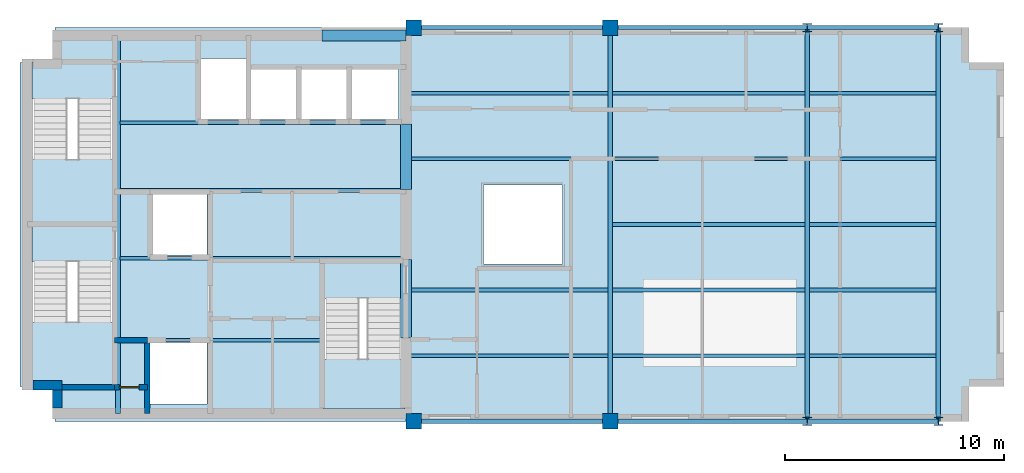
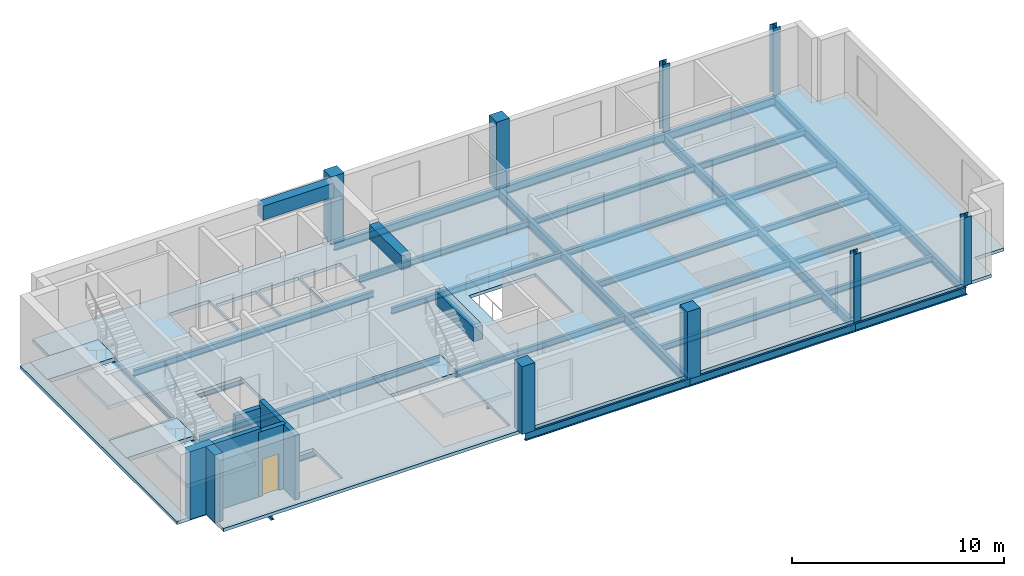
# One storey, part 1 of 5: 31 beams, 8 columns, 7 slabs, 6 walls, 1 door, 1 opening, 3 elements without a shape of their own.
"""IFC4 building model written with IfcOpenShell, lengths in metres."""

from ifc_helpers import new_model, si_unit, direction, frame, frame_2d, origin, origin_2d, place, context, subcontext, project, spatial, polyline, rectangle, i_section, outline, extrude, material, layer, layer_set, material_profile, profile_set, type_object, element, fill, aggregate, save


model = new_model("IFC4")

# Units and contexts
model_context = context("Model", 3, precision=1e-05, world=origin(), true_north=direction((0.0, 1.0)))
body_context = subcontext(model_context, "Body", "Model", "MODEL_VIEW")
ifc_project = project(units=[si_unit("LENGTHUNIT", "METRE"), si_unit("AREAUNIT", "SQUARE_METRE"), si_unit("VOLUMEUNIT", "CUBIC_METRE"), si_unit("PLANEANGLEUNIT", "RADIAN"), si_unit("MASSUNIT", "GRAM", prefix="KILO")], contexts=[model_context])

# Site, building, storey
site_placement = place(None, origin())
site = spatial("IfcSite", under=ifc_project, at=site_placement, CompositionType="ELEMENT")
building_placement = place(site_placement, origin())
building = spatial("IfcBuilding", under=site, at=building_placement, Name="Mawjdan Bourse Tower", CompositionType="ELEMENT")
storey_placement = place(building_placement, frame((0.0, 0.0, 305.39990234375)))
storey = spatial("IfcBuildingStorey", under=building, at=storey_placement, Name="L75", CompositionType="ELEMENT", Elevation=305.39990234375)

# Columns
ifc_material_1 = material(Name="Concrete C60/75", Category="concrete")
ifc_material_profile_1 = material_profile(ifc_material_1, rectangle(XDim=0.699951171875, YDim=0.699951171875, at=origin_2d()), Name="RC700X700")
ifc_profile_set_1 = profile_set([ifc_material_profile_1], Name="Concrete C60/75")
column_type_1 = type_object("IfcColumnType", Name="COL-RC700X700", PredefinedType="COLUMN", material=ifc_profile_set_1)
for number, where, z_axis, x_axis, name in (
    (1, (24.0, 3.0, 0.0), (0.0, 0.0, 1.0), (1.0, 0.0, 0.0), "L75 Structural Column C-X240-Y30"),
    (2, (24.0, 21.0, 0.0), (0.0, 0.0, 1.0), (1.0, 0.0, 0.0), "L75 Structural Column C-X240-Y210"),
    (3, (33.0, 3.0, 0.0), (0.0, 0.0, 1.0), (1.0, 0.0, 0.0), "L75 Structural Column C-X330-Y30"),
    (4, (33.0, 21.0, 0.0), (0.0, 0.0, 1.0), (1.0, 0.0, 0.0), "L75 Structural Column C-X330-Y210"),
):
    element("IfcColumn", number, at=place(storey_placement, frame(where, z_axis=z_axis, x_axis=x_axis)), inside=storey, type_object=column_type_1, Name=name, PredefinedType="COLUMN", context=body_context, shape_type="SweptSolid", body=[
        extrude(rectangle(XDim=0.699951171875, YDim=0.699951171875, at=origin_2d()), origin(), (0.0, 0.0, 1.0), 3.900146484375),
    ])
ifc_material_2 = material(Name="Structural Steel S355", Category="steel")
ifc_material_profile_2 = material_profile(ifc_material_2, i_section(OverallWidth=0.39404296875, OverallDepth=0.375, WebThickness=0.017333984375, FlangeThickness=0.027587890625, FilletRadius=0.022216796875, at=origin_2d()), Name="W14X145")
ifc_profile_set_2 = profile_set([ifc_material_profile_2], Name="Structural Steel S355")
column_type_2 = type_object("IfcColumnType", Name="COL-W14X145", PredefinedType="COLUMN", material=ifc_profile_set_2)
for number, where, z_axis, x_axis, name in (
    (5, (42.0, 3.0, 0.0), (0.0, 0.0, 1.0), (1.0, 0.0, 0.0), "L75 Structural Column C-X420-Y30"),
    (6, (42.0, 21.0, 0.0), (0.0, 0.0, 1.0), (1.0, 0.0, 0.0), "L75 Structural Column C-X420-Y210"),
    (7, (48.0, 3.0, 0.0), (0.0, 0.0, 1.0), (1.0, 0.0, 0.0), "L75 Structural Column C-X480-Y30"),
    (8, (48.0, 21.0, 0.0), (0.0, 0.0, 1.0), (1.0, 0.0, 0.0), "L75 Structural Column C-X480-Y210"),
):
    element("IfcColumn", number, at=place(storey_placement, frame(where, z_axis=z_axis, x_axis=x_axis)), inside=storey, type_object=column_type_2, Name=name, PredefinedType="COLUMN", context=body_context, shape_type="SweptSolid", body=[
        extrude(i_section(OverallWidth=0.39404296875, OverallDepth=0.375, WebThickness=0.017333984375, FlangeThickness=0.027587890625, FilletRadius=0.022216796875, at=origin_2d()), origin(), (0.0, 0.0, 1.0), 3.900146484375),
    ])

# Beams
ifc_material_profile_3 = material_profile(ifc_material_2, i_section(OverallWidth=0.2099609375, OverallDepth=0.537109375, WebThickness=0.010986328125, FlangeThickness=0.017333984375, FilletRadius=0.013916015625, at=origin_2d()), Name="W21X68")
ifc_profile_set_3 = profile_set([ifc_material_profile_3], Name="Structural Steel S355")
beam_type_1 = type_object("IfcBeamType", Name="GRD-W21X68", PredefinedType="BEAM", material=ifc_profile_set_3)
beam_1_placement = place(storey_placement, frame((10.47998046875, 3.35009765625, -0.453369140625), z_axis=(0.0, 1.0, 0.0), x_axis=(-1.0, 0.0, 0.0)))
element("IfcBeam", 9, at=beam_1_placement, inside=storey, type_object=beam_type_1, Name="L75 Core Stair Trimmer Girder 001", PredefinedType="BEAM", context=body_context, shape_type="SweptSolid", body=[
    extrude(i_section(OverallWidth=0.2099609375, OverallDepth=0.537109375, WebThickness=0.010986328125, FlangeThickness=0.017333984375, FilletRadius=0.013916015625, at=origin_2d()), origin(), (0.0, 0.0, 1.0), 17.2998046875),
])
for number, where, z_axis, x_axis, name in (
    (10, (33.0, 3.0, -0.453369140625), (0.0, 1.0, 0.0), (-1.0, 0.0, 0.0), "L75 East Wing Clear-Span Girder 002"),
    (11, (42.0, 3.0, -0.453369140625), (0.0, 1.0, 0.0), (-1.0, 0.0, 0.0), "L75 East Wing Clear-Span Girder 003"),
    (12, (48.0, 3.0, -0.453369140625), (0.0, 1.0, 0.0), (-1.0, 0.0, 0.0), "L75 East Wing Clear-Span Girder 004"),
):
    element("IfcBeam", number, at=place(storey_placement, frame(where, z_axis=z_axis, x_axis=x_axis)), inside=storey, type_object=beam_type_1, Name=name, PredefinedType="BEAM", context=body_context, shape_type="SweptSolid", body=[
        extrude(i_section(OverallWidth=0.2099609375, OverallDepth=0.537109375, WebThickness=0.010986328125, FlangeThickness=0.017333984375, FilletRadius=0.013916015625, at=origin_2d()), origin(), (0.0, 0.0, 1.0), 18.0),
    ])
ifc_material_profile_4 = material_profile(ifc_material_2, i_section(OverallWidth=0.1708984375, OverallDepth=0.35107421875, WebThickness=0.0068359375, FlangeThickness=0.009765625, FilletRadius=0.0078125, at=origin_2d()), Name="W14X30")
ifc_profile_set_4 = profile_set([ifc_material_profile_4], Name="Structural Steel S355")
beam_type_2 = type_object("IfcBeamType", Name="JST-W14X30", PredefinedType="JOIST", material=ifc_profile_set_4)
beam_2_placement = place(storey_placement, frame((23.64990234375, 6.0, -0.3603515625), z_axis=(1.0, 0.0, 0.0), x_axis=(0.0, 1.0, 0.0)))
element("IfcBeam", 13, at=beam_2_placement, inside=storey, type_object=beam_type_2, Name="L75 East Wing Composite Joist 011", PredefinedType="JOIST", context=body_context, shape_type="SweptSolid", body=[
    extrude(i_section(OverallWidth=0.1708984375, OverallDepth=0.35107421875, WebThickness=0.0068359375, FlangeThickness=0.009765625, FilletRadius=0.0078125, at=origin_2d()), origin(), (0.0, 0.0, 1.0), 9.2470703125),
])
beam_3_placement = place(storey_placement, frame((33.10302734375, 6.0, -0.3603515625), z_axis=(1.0, 0.0, 0.0), x_axis=(0.0, 1.0, 0.0)))
element("IfcBeam", 14, at=beam_3_placement, inside=storey, type_object=beam_type_2, Name="L75 East Wing Composite Joist 012", PredefinedType="JOIST", context=body_context, shape_type="SweptSolid", body=[
    extrude(i_section(OverallWidth=0.1708984375, OverallDepth=0.35107421875, WebThickness=0.0068359375, FlangeThickness=0.009765625, FilletRadius=0.0078125, at=origin_2d()), origin(), (0.0, 0.0, 1.0), 8.7939453125),
])
beam_4_placement = place(storey_placement, frame((42.10302734375, 6.0, -0.3603515625), z_axis=(1.0, 0.0, 0.0), x_axis=(0.0, 1.0, 0.0)))
element("IfcBeam", 15, at=beam_4_placement, inside=storey, type_object=beam_type_2, Name="L75 East Wing Composite Joist 013", PredefinedType="JOIST", context=body_context, shape_type="SweptSolid", body=[
    extrude(i_section(OverallWidth=0.1708984375, OverallDepth=0.35107421875, WebThickness=0.0068359375, FlangeThickness=0.009765625, FilletRadius=0.0078125, at=origin_2d()), origin(), (0.0, 0.0, 1.0), 5.7939453125),
])
beam_5_placement = place(storey_placement, frame((23.64990234375, 9.0, -0.3603515625), z_axis=(1.0, 0.0, 0.0), x_axis=(0.0, 1.0, 0.0)))
element("IfcBeam", 16, at=beam_5_placement, inside=storey, type_object=beam_type_2, Name="L75 East Wing Composite Joist 014", PredefinedType="JOIST", context=body_context, shape_type="SweptSolid", body=[
    extrude(i_section(OverallWidth=0.1708984375, OverallDepth=0.35107421875, WebThickness=0.0068359375, FlangeThickness=0.009765625, FilletRadius=0.0078125, at=origin_2d()), origin(), (0.0, 0.0, 1.0), 9.2470703125),
])
beam_6_placement = place(storey_placement, frame((33.10302734375, 9.0, -0.3603515625), z_axis=(1.0, 0.0, 0.0), x_axis=(0.0, 1.0, 0.0)))
element("IfcBeam", 17, at=beam_6_placement, inside=storey, type_object=beam_type_2, Name="L75 East Wing Composite Joist 015", PredefinedType="JOIST", context=body_context, shape_type="SweptSolid", body=[
    extrude(i_section(OverallWidth=0.1708984375, OverallDepth=0.35107421875, WebThickness=0.0068359375, FlangeThickness=0.009765625, FilletRadius=0.0078125, at=origin_2d()), origin(), (0.0, 0.0, 1.0), 8.7939453125),
])
beam_7_placement = place(storey_placement, frame((42.10302734375, 9.0, -0.3603515625), z_axis=(1.0, 0.0, 0.0), x_axis=(0.0, 1.0, 0.0)))
element("IfcBeam", 18, at=beam_7_placement, inside=storey, type_object=beam_type_2, Name="L75 East Wing Composite Joist 016", PredefinedType="JOIST", context=body_context, shape_type="SweptSolid", body=[
    extrude(i_section(OverallWidth=0.1708984375, OverallDepth=0.35107421875, WebThickness=0.0068359375, FlangeThickness=0.009765625, FilletRadius=0.0078125, at=origin_2d()), origin(), (0.0, 0.0, 1.0), 5.7939453125),
])
beam_8_placement = place(storey_placement, frame((33.10302734375, 12.0, -0.3603515625), z_axis=(1.0, 0.0, 0.0), x_axis=(0.0, 1.0, 0.0)))
element("IfcBeam", 19, at=beam_8_placement, inside=storey, type_object=beam_type_2, Name="L75 East Wing Composite Joist 017", PredefinedType="JOIST", context=body_context, shape_type="SweptSolid", body=[
    extrude(i_section(OverallWidth=0.1708984375, OverallDepth=0.35107421875, WebThickness=0.0068359375, FlangeThickness=0.009765625, FilletRadius=0.0078125, at=origin_2d()), origin(), (0.0, 0.0, 1.0), 8.7939453125),
])
beam_9_placement = place(storey_placement, frame((42.10302734375, 12.0, -0.3603515625), z_axis=(1.0, 0.0, 0.0), x_axis=(0.0, 1.0, 0.0)))
element("IfcBeam", 20, at=beam_9_placement, inside=storey, type_object=beam_type_2, Name="L75 East Wing Composite Joist 018", PredefinedType="JOIST", context=body_context, shape_type="SweptSolid", body=[
    extrude(i_section(OverallWidth=0.1708984375, OverallDepth=0.35107421875, WebThickness=0.0068359375, FlangeThickness=0.009765625, FilletRadius=0.0078125, at=origin_2d()), origin(), (0.0, 0.0, 1.0), 5.7939453125),
])
beam_10_placement = place(storey_placement, frame((23.64990234375, 15.0, -0.3603515625), z_axis=(1.0, 0.0, 0.0), x_axis=(0.0, 1.0, 0.0)))
element("IfcBeam", 21, at=beam_10_placement, inside=storey, type_object=beam_type_2, Name="L75 East Wing Composite Joist 019", PredefinedType="JOIST", context=body_context, shape_type="SweptSolid", body=[
    extrude(i_section(OverallWidth=0.1708984375, OverallDepth=0.35107421875, WebThickness=0.0068359375, FlangeThickness=0.009765625, FilletRadius=0.0078125, at=origin_2d()), origin(), (0.0, 0.0, 1.0), 9.2470703125),
])
beam_11_placement = place(storey_placement, frame((33.10302734375, 15.0, -0.3603515625), z_axis=(1.0, 0.0, 0.0), x_axis=(0.0, 1.0, 0.0)))
element("IfcBeam", 22, at=beam_11_placement, inside=storey, type_object=beam_type_2, Name="L75 East Wing Composite Joist 020", PredefinedType="JOIST", context=body_context, shape_type="SweptSolid", body=[
    extrude(i_section(OverallWidth=0.1708984375, OverallDepth=0.35107421875, WebThickness=0.0068359375, FlangeThickness=0.009765625, FilletRadius=0.0078125, at=origin_2d()), origin(), (0.0, 0.0, 1.0), 8.7939453125),
])
beam_12_placement = place(storey_placement, frame((42.10302734375, 15.0, -0.3603515625), z_axis=(1.0, 0.0, 0.0), x_axis=(0.0, 1.0, 0.0)))
element("IfcBeam", 23, at=beam_12_placement, inside=storey, type_object=beam_type_2, Name="L75 East Wing Composite Joist 021", PredefinedType="JOIST", context=body_context, shape_type="SweptSolid", body=[
    extrude(i_section(OverallWidth=0.1708984375, OverallDepth=0.35107421875, WebThickness=0.0068359375, FlangeThickness=0.009765625, FilletRadius=0.0078125, at=origin_2d()), origin(), (0.0, 0.0, 1.0), 5.7939453125),
])
beam_13_placement = place(storey_placement, frame((23.64990234375, 18.0, -0.3603515625), z_axis=(1.0, 0.0, 0.0), x_axis=(0.0, 1.0, 0.0)))
element("IfcBeam", 24, at=beam_13_placement, inside=storey, type_object=beam_type_2, Name="L75 East Wing Composite Joist 022", PredefinedType="JOIST", context=body_context, shape_type="SweptSolid", body=[
    extrude(i_section(OverallWidth=0.1708984375, OverallDepth=0.35107421875, WebThickness=0.0068359375, FlangeThickness=0.009765625, FilletRadius=0.0078125, at=origin_2d()), origin(), (0.0, 0.0, 1.0), 9.2470703125),
])
beam_14_placement = place(storey_placement, frame((33.10302734375, 18.0, -0.3603515625), z_axis=(1.0, 0.0, 0.0), x_axis=(0.0, 1.0, 0.0)))
element("IfcBeam", 25, at=beam_14_placement, inside=storey, type_object=beam_type_2, Name="L75 East Wing Composite Joist 023", PredefinedType="JOIST", context=body_context, shape_type="SweptSolid", body=[
    extrude(i_section(OverallWidth=0.1708984375, OverallDepth=0.35107421875, WebThickness=0.0068359375, FlangeThickness=0.009765625, FilletRadius=0.0078125, at=origin_2d()), origin(), (0.0, 0.0, 1.0), 8.7939453125),
])
beam_15_placement = place(storey_placement, frame((42.10302734375, 18.0, -0.3603515625), z_axis=(1.0, 0.0, 0.0), x_axis=(0.0, 1.0, 0.0)))
element("IfcBeam", 26, at=beam_15_placement, inside=storey, type_object=beam_type_2, Name="L75 East Wing Composite Joist 024", PredefinedType="JOIST", context=body_context, shape_type="SweptSolid", body=[
    extrude(i_section(OverallWidth=0.1708984375, OverallDepth=0.35107421875, WebThickness=0.0068359375, FlangeThickness=0.009765625, FilletRadius=0.0078125, at=origin_2d()), origin(), (0.0, 0.0, 1.0), 5.7939453125),
])
beam_16_placement = place(storey_placement, frame((10.5830078125, 6.699951171875, -0.3603515625), z_axis=(1.0, 0.0, 0.0), x_axis=(0.0, 1.0, 0.0)))
element("IfcBeam", 27, at=beam_16_placement, inside=storey, type_object=beam_type_2, Name="L75 Core Floor Joist 025", PredefinedType="JOIST", context=body_context, shape_type="SweptSolid", body=[
    extrude(i_section(OverallWidth=0.1708984375, OverallDepth=0.35107421875, WebThickness=0.0068359375, FlangeThickness=0.009765625, FilletRadius=0.0078125, at=origin_2d()), origin(), (0.0, 0.0, 1.0), 9.2470703125),
])
for number, where, z_axis, x_axis, name in (
    (28, (10.5830078125, 10.449951171875, -0.3603515625), (1.0, 0.0, 0.0), (0.0, 1.0, 0.0), "L75 Core Floor Joist 026"),
    (29, (10.5830078125, 13.550048828125, -0.3603515625), (1.0, 0.0, 0.0), (0.0, 1.0, 0.0), "L75 Core Floor Joist 027"),
    (30, (10.5830078125, 16.64990234375, -0.3603515625), (1.0, 0.0, 0.0), (0.0, 1.0, 0.0), "L75 Core Floor Joist 028"),
):
    element("IfcBeam", number, at=place(storey_placement, frame(where, z_axis=z_axis, x_axis=x_axis)), inside=storey, type_object=beam_type_2, Name=name, PredefinedType="JOIST", context=body_context, shape_type="SweptSolid", body=[
        extrude(i_section(OverallWidth=0.1708984375, OverallDepth=0.35107421875, WebThickness=0.0068359375, FlangeThickness=0.009765625, FilletRadius=0.0078125, at=origin_2d()), origin(), (0.0, 0.0, 1.0), 13.06689453125),
    ])
ifc_material_3 = material(Name="Concrete C70/85", Category="concrete")
ifc_material_profile_5 = material_profile(ifc_material_3, rectangle(XDim=0.5, YDim=0.800048828125, at=origin_2d()), Name="RCB500X800")
ifc_profile_set_5 = profile_set([ifc_material_profile_5], Name="Concrete C70/85")
beam_type_3 = type_object("IfcBeamType", Name="LNT-RCB500X800", PredefinedType="LINTEL", material=ifc_profile_set_5)
beam_17_placement = place(storey_placement, frame((23.64990234375, 6.800048828125, 3.315185546875), z_axis=(0.0, 1.0, 0.0), x_axis=(-1.0, 0.0, 0.0)))
element("IfcBeam", 31, at=beam_17_placement, inside=storey, type_object=beam_type_3, Name="L75 Coupled Core Lintel CB-E1", PredefinedType="LINTEL", context=body_context, shape_type="SweptSolid", body=[
    extrude(rectangle(XDim=0.5, YDim=0.800048828125, at=origin_2d()), origin(), (0.0, 0.0, 1.0), 3.599853515625),
])
beam_18_placement = place(storey_placement, frame((23.64990234375, 13.60009765625, 3.315185546875), z_axis=(0.0, 1.0, 0.0), x_axis=(-1.0, 0.0, 0.0)))
element("IfcBeam", 32, at=beam_18_placement, inside=storey, type_object=beam_type_3, Name="L75 Coupled Core Lintel CB-E2", PredefinedType="LINTEL", context=body_context, shape_type="SweptSolid", body=[
    extrude(rectangle(XDim=0.5, YDim=0.800048828125, at=origin_2d()), origin(), (0.0, 0.0, 1.0), 3.0),
])
beam_19_placement = place(storey_placement, frame((19.800048828125, 20.64990234375, 3.315185546875), z_axis=(1.0, 0.0, 0.0), x_axis=(0.0, 1.0, 0.0)))
element("IfcBeam", 33, at=beam_19_placement, inside=storey, type_object=beam_type_3, Name="L75 Coupled Core Lintel CB-N1", PredefinedType="LINTEL", context=body_context, shape_type="SweptSolid", body=[
    extrude(rectangle(XDim=0.5, YDim=0.800048828125, at=origin_2d()), origin(), (0.0, 0.0, 1.0), 3.849853515625),
])
ifc_material_profile_6 = material_profile(ifc_material_2, i_section(OverallWidth=0.18994140625, OverallDepth=0.45703125, WebThickness=0.009033203125, FlangeThickness=0.014404296875, FilletRadius=0.01171875, at=origin_2d()), Name="W18X50")
ifc_profile_set_6 = profile_set([ifc_material_profile_6], Name="Structural Steel S355")
beam_type_4 = type_object("IfcBeamType", Name="SPN-W18X50", PredefinedType="SPANDREL", material=ifc_profile_set_6)
for number, where, z_axis, x_axis, name in (
    (34, (24.0, 3.0, -0.413330078125), (1.0, 0.0, 0.0), (0.0, 1.0, 0.0), "L75 Perimeter Masonry-Shelf Spandrel 005"),
    (35, (33.0, 3.0, -0.413330078125), (1.0, 0.0, 0.0), (0.0, 1.0, 0.0), "L75 Perimeter Masonry-Shelf Spandrel 006"),
):
    element("IfcBeam", number, at=place(storey_placement, frame(where, z_axis=z_axis, x_axis=x_axis)), inside=storey, type_object=beam_type_4, Name=name, PredefinedType="SPANDREL", context=body_context, shape_type="SweptSolid", body=[
        extrude(i_section(OverallWidth=0.18994140625, OverallDepth=0.45703125, WebThickness=0.009033203125, FlangeThickness=0.014404296875, FilletRadius=0.01171875, at=origin_2d()), origin(), (0.0, 0.0, 1.0), 9.0),
    ])
beam_20_placement = place(storey_placement, frame((42.0, 3.0, -0.413330078125), z_axis=(1.0, 0.0, 0.0), x_axis=(0.0, 1.0, 0.0)))
element("IfcBeam", 36, at=beam_20_placement, inside=storey, type_object=beam_type_4, Name="L75 Perimeter Masonry-Shelf Spandrel 007", PredefinedType="SPANDREL", context=body_context, shape_type="SweptSolid", body=[
    extrude(i_section(OverallWidth=0.18994140625, OverallDepth=0.45703125, WebThickness=0.009033203125, FlangeThickness=0.014404296875, FilletRadius=0.01171875, at=origin_2d()), origin(), (0.0, 0.0, 1.0), 6.0),
])
for number, where, z_axis, x_axis, name in (
    (37, (24.0, 21.0, -0.413330078125), (1.0, 0.0, 0.0), (0.0, 1.0, 0.0), "L75 Perimeter Masonry-Shelf Spandrel 008"),
    (38, (33.0, 21.0, -0.413330078125), (1.0, 0.0, 0.0), (0.0, 1.0, 0.0), "L75 Perimeter Masonry-Shelf Spandrel 009"),
):
    element("IfcBeam", number, at=place(storey_placement, frame(where, z_axis=z_axis, x_axis=x_axis)), inside=storey, type_object=beam_type_4, Name=name, PredefinedType="SPANDREL", context=body_context, shape_type="SweptSolid", body=[
        extrude(i_section(OverallWidth=0.18994140625, OverallDepth=0.45703125, WebThickness=0.009033203125, FlangeThickness=0.014404296875, FilletRadius=0.01171875, at=origin_2d()), origin(), (0.0, 0.0, 1.0), 9.0),
    ])
beam_21_placement = place(storey_placement, frame((42.0, 21.0, -0.413330078125), z_axis=(1.0, 0.0, 0.0), x_axis=(0.0, 1.0, 0.0)))
element("IfcBeam", 39, at=beam_21_placement, inside=storey, type_object=beam_type_4, Name="L75 Perimeter Masonry-Shelf Spandrel 010", PredefinedType="SPANDREL", context=body_context, shape_type="SweptSolid", body=[
    extrude(i_section(OverallWidth=0.18994140625, OverallDepth=0.45703125, WebThickness=0.009033203125, FlangeThickness=0.014404296875, FilletRadius=0.01171875, at=origin_2d()), origin(), (0.0, 0.0, 1.0), 6.0),
])

# Stair, slabs
ifc_material_4 = material(Name="Concrete C50/60", Category="concrete")
stair_type = type_object("IfcStairType", Name="STR-CORE-1500", PredefinedType="HALF_TURN_STAIR", material=ifc_material_4)
stair_1_placement = place(storey_placement, origin())
stair_1 = element("IfcStair", 40, at=stair_1_placement, inside=storey, type_object=stair_type, Name="L75 Exit Stair 1 (Core South-West)", PredefinedType="HALF_TURN_STAIR")
ifc_layer_1 = layer(ifc_material_4, 0.22998046875)
ifc_layer_set_1 = layer_set([ifc_layer_1], Name="Concrete C50/60")
slab_type_1 = type_object("IfcSlabType", Name="SL-LND-230", PredefinedType="LANDING", material=ifc_layer_set_1)
slab_1_placement = place(storey_placement, frame((0.0, 0.0, -0.22998046875)))
slab_1 = element("IfcSlab", 41, at=slab_1_placement, type_object=slab_type_1, Name="ST1-L75 landing 1", PredefinedType="LANDING", context=body_context, shape_type="SweptSolid", body=[
    extrude(outline(polyline([(6.5400390625, 10.31005859375), (10.260009765625, 10.31005859375), (10.260009765625, 11.969970703125), (6.5400390625, 11.969970703125), (6.5400390625, 10.31005859375)])), origin(), (0.0, 0.0, 1.0), 0.22998046875),
])
slab_2_placement = place(storey_placement, frame((0.0, 0.0, 1.72021484375)))
slab_2 = element("IfcSlab", 42, at=slab_2_placement, type_object=slab_type_1, Name="ST1-L75 landing 2", PredefinedType="LANDING", context=body_context, shape_type="SweptSolid", body=[
    extrude(outline(polyline([(6.5400390625, 4.590087890625), (10.260009765625, 4.590087890625), (10.260009765625, 7.5400390625), (6.5400390625, 7.5400390625), (6.5400390625, 4.590087890625)])), origin(), (0.0, 0.0, 1.0), 0.22998046875),
])
aggregate(stair_1, [slab_1, slab_2])

stair_2_placement = place(storey_placement, origin())
stair_2 = element("IfcStair", 43, at=stair_2_placement, inside=storey, type_object=stair_type, Name="L75 Exit Stair 2 (Core North-West)", PredefinedType="HALF_TURN_STAIR")
slab_3_placement = place(storey_placement, frame((0.0, 0.0, -0.22998046875)))
slab_3 = element("IfcSlab", 44, at=slab_3_placement, type_object=slab_type_1, Name="ST2-L75 landing 1", PredefinedType="LANDING", context=body_context, shape_type="SweptSolid", body=[
    extrude(outline(polyline([(6.5400390625, 17.75), (10.260009765625, 17.75), (10.260009765625, 19.409912109375), (6.5400390625, 19.409912109375), (6.5400390625, 17.75)])), origin(), (0.0, 0.0, 1.0), 0.22998046875),
])
slab_4_placement = place(storey_placement, frame((0.0, 0.0, 1.72021484375)))
slab_4 = element("IfcSlab", 45, at=slab_4_placement, type_object=slab_type_1, Name="ST2-L75 landing 2", PredefinedType="LANDING", context=body_context, shape_type="SweptSolid", body=[
    extrude(outline(polyline([(6.5400390625, 12.030029296875), (10.260009765625, 12.030029296875), (10.260009765625, 14.97998046875), (6.5400390625, 14.97998046875), (6.5400390625, 12.030029296875)])), origin(), (0.0, 0.0, 1.0), 0.22998046875),
])
aggregate(stair_2, [slab_3, slab_4])

stair_3_placement = place(storey_placement, origin())
stair_3 = element("IfcStair", 46, at=stair_3_placement, inside=storey, type_object=stair_type, Name="L75 Exit Stair 7 (Core South-East)", PredefinedType="HALF_TURN_STAIR")
slab_5_placement = place(storey_placement, frame((0.0, 0.0, -0.22998046875)))
slab_5 = element("IfcSlab", 47, at=slab_5_placement, type_object=slab_type_1, Name="ST7-L75 landing 1", PredefinedType="LANDING", context=body_context, shape_type="SweptSolid", body=[
    extrude(outline(polyline([(19.889892578125, 8.6201171875), (23.610107421875, 8.6201171875), (23.610107421875, 10.280029296875), (19.889892578125, 10.280029296875), (19.889892578125, 8.6201171875)])), origin(), (0.0, 0.0, 1.0), 0.22998046875),
])
slab_6_placement = place(storey_placement, frame((0.0, 0.0, 1.72021484375)))
slab_6 = element("IfcSlab", 48, at=slab_6_placement, type_object=slab_type_1, Name="ST7-L75 landing 2", PredefinedType="LANDING", context=body_context, shape_type="SweptSolid", body=[
    extrude(outline(polyline([(19.889892578125, 3.56005859375), (23.610107421875, 3.56005859375), (23.610107421875, 5.85009765625), (19.889892578125, 5.85009765625), (19.889892578125, 3.56005859375)])), origin(), (0.0, 0.0, 1.0), 0.22998046875),
])
aggregate(stair_3, [slab_5, slab_6])

# Slab
ifc_layer_2 = layer(ifc_material_4, 0.18505859375)
ifc_layer_set_2 = layer_set([ifc_layer_2], Name="Concrete C50/60")
slab_type_2 = type_object("IfcSlabType", Name="SL-SMT-185", PredefinedType="FLOOR", material=ifc_layer_set_2)
slab_7_placement = place(storey_placement, frame((0.0, 0.0, -0.184814453125)))
element("IfcSlab", 49, at=slab_7_placement, inside=storey, type_object=slab_type_2, Name="L75 Structural Floor Slab 1", PredefinedType="FLOOR", context=body_context, shape_type="SweptSolid", body=[
    extrude(outline(polyline([(7.60009765625, 3.0), (49.39990234375, 3.0), (49.39990234375, 4.60009765625), (51.0, 4.60009765625), (51.0, 19.39990234375), (49.39990234375, 19.39990234375), (49.39990234375, 21.0), (7.60009765625, 21.0), (7.60009765625, 19.39990234375), (6.0, 19.39990234375), (6.0, 4.60009765625), (7.60009765625, 4.60009765625), (7.60009765625, 3.0)]), holes=[polyline([(14.550048828125, 3.800048828125), (11.949951171875, 3.800048828125), (11.949951171875, 6.60009765625), (14.550048828125, 6.60009765625), (14.550048828125, 3.800048828125)]), polyline([(10.260009765625, 11.969970703125), (10.260009765625, 10.31005859375), (10.199951171875, 10.31005859375), (10.199951171875, 4.64990234375), (6.60009765625, 4.64990234375), (6.60009765625, 10.31005859375), (6.5400390625, 10.31005859375), (6.5400390625, 11.969970703125), (10.260009765625, 11.969970703125)]), polyline([(14.550048828125, 10.60009765625), (12.050048828125, 10.60009765625), (12.050048828125, 13.39990234375), (14.550048828125, 13.39990234375), (14.550048828125, 10.60009765625)]), polyline([(6.60009765625, 12.090087890625), (6.60009765625, 17.75), (6.5400390625, 17.75), (6.5400390625, 19.3798828125), (7.60009765625, 19.3798828125), (7.60205078125, 19.380126953125), (7.60400390625, 19.38037109375), (7.605712890625, 19.380859375), (7.607666015625, 19.381591796875), (7.609375, 19.38232421875), (7.611083984375, 19.38330078125), (7.61279296875, 19.384521484375), (7.614013671875, 19.385986328125), (7.615478515625, 19.38720703125), (7.61669921875, 19.388916015625), (7.61767578125, 19.390625), (7.618408203125, 19.392333984375), (7.619140625, 19.394287109375), (7.61962890625, 19.39599609375), (7.619873046875, 19.39794921875), (7.6201171875, 19.39990234375), (7.6201171875, 19.409912109375), (10.260009765625, 19.409912109375), (10.260009765625, 17.75), (10.199951171875, 17.75), (10.199951171875, 12.090087890625), (6.60009765625, 12.090087890625)]), polyline([(14.199951171875, 16.800048828125), (14.199951171875, 19.60009765625), (16.39990234375, 19.60009765625), (16.39990234375, 16.800048828125), (14.199951171875, 16.800048828125)]), polyline([(23.610107421875, 10.280029296875), (23.610107421875, 8.6201171875), (23.550048828125, 8.6201171875), (23.550048828125, 3.6201171875), (19.949951171875, 3.6201171875), (19.949951171875, 8.6201171875), (19.889892578125, 8.6201171875), (19.889892578125, 10.280029296875), (23.610107421875, 10.280029296875)]), polyline([(27.199951171875, 10.199951171875), (27.199951171875, 13.800048828125), (30.800048828125, 13.800048828125), (30.800048828125, 10.199951171875), (27.199951171875, 10.199951171875)]), polyline([(16.5, 16.800048828125), (16.5, 19.14990234375), (18.699951171875, 19.14990234375), (18.699951171875, 16.800048828125), (16.5, 16.800048828125)]), polyline([(18.800048828125, 16.800048828125), (18.800048828125, 19.14990234375), (21.0, 19.14990234375), (21.0, 16.800048828125), (18.800048828125, 16.800048828125)]), polyline([(21.10009765625, 16.800048828125), (21.10009765625, 19.14990234375), (23.300048828125, 19.14990234375), (23.300048828125, 16.800048828125), (21.10009765625, 16.800048828125)])]), origin(), (0.0, 0.0, 1.0), 0.184814453125),
])

# Walls
ifc_layer_3 = layer(ifc_material_1, 0.449951171875)
ifc_layer_set_3 = layer_set([ifc_layer_3], Name="Concrete C60/75")
wall_type_1 = type_object("IfcWallType", Name="WL-CORE-450", PredefinedType="SHEAR", material=ifc_layer_set_3)
wall_1_placement = place(storey_placement, frame((6.60009765625, 4.64990234375, 0.0), z_axis=(0.0, 0.0, 1.0), x_axis=(1.0, 0.0, 0.0)))
element("IfcWall", 50, at=wall_1_placement, inside=storey, type_object=wall_type_1, Name="L75 Rear Core Shear Wall SW-X", PredefinedType="SHEAR", context=body_context, shape_type="SweptSolid", body=[
    extrude(rectangle(XDim=1.324951171875, YDim=0.449951171875, at=frame_2d((0.66259765625, 0.0))), origin(), (0.0, 0.0, 1.0), 3.900146484375),
])
wall_2_placement = place(storey_placement, frame((7.699951171875, 3.60009765625, 0.0), z_axis=(0.0, 0.0, 1.0), x_axis=(0.0, 1.0, 0.0)))
element("IfcWall", 51, at=wall_2_placement, inside=storey, type_object=wall_type_1, Name="L75 Rear Core Shear Wall SW-Y", PredefinedType="SHEAR", context=body_context, shape_type="SweptSolid", body=[
    extrude(rectangle(XDim=0.824951171875, YDim=0.449951171875, at=frame_2d((0.41259765625, 0.0))), origin(), (0.0, 0.0, 1.0), 3.900146484375),
])

# Wall, opening, door
ifc_layer_4 = layer(ifc_material_4, 0.25)
ifc_layer_set_4 = layer_set([ifc_layer_4], Name="Concrete C50/60")
wall_type_2 = type_object("IfcWallType", Name="WL-SHFT-250", PredefinedType="PARTITIONING", material=ifc_layer_set_4)
wall_3_placement = place(storey_placement, frame((10.330078125, 4.550048828125, 0.0), z_axis=(0.0, 0.0, 1.0), x_axis=(1.0, 0.0, 0.0)))
wall_3 = element("IfcWall", 52, at=wall_3_placement, inside=storey, type_object=wall_type_2, Name="L75 SW Riser North Wall", PredefinedType="PARTITIONING", context=body_context, shape_type="SweptSolid", body=[
    extrude(rectangle(XDim=1.489990234375, YDim=0.25, at=frame_2d((0.7451171875, 0.0))), origin(), (0.0, 0.0, 1.0), 3.705078125),
])
opening_placement = place(wall_3_placement, frame((0.219970703125, 0.0, 0.0)))
opening = element("IfcOpeningElement", 53, at=opening_placement, cuts=wall_3, Name="Opening RD-L75-03", PredefinedType="OPENING", context=body_context, shape_type="SweptSolid", body=[
    extrude(rectangle(XDim=0.89990234375, YDim=2.10009765625, at=frame_2d((0.449951171875, 1.050048828125))), frame((0.0, 0.135009765625, 0.0), z_axis=(0.0, -1.0, 0.0), x_axis=(1.0, 0.0, 0.0)), (0.0, 0.0, 1.0), 0.27001953125),
])
ifc_material_5 = material(Name="Fire-Rated Steel Access Leaf", Category="steel")
door_type = type_object("IfcDoorType", Name="FD-RSR-0900", OperationType="NOTDEFINED", PredefinedType="TRAPDOOR", material=ifc_material_5)
door_placement = place(opening_placement, origin())
door = element("IfcDoor", 54, at=door_placement, inside=storey, type_object=door_type, Name="L75 Electrical Riser Access Door RD-L75-03", OperationType="SINGLE_SWING_RIGHT", OverallHeight=2.10009765625, OverallWidth=0.89990234375, PredefinedType="TRAPDOOR", context=body_context, shape_type="SweptSolid", body=[
    extrude(rectangle(XDim=0.89990234375, YDim=2.10009765625, at=frame_2d((0.449951171875, 1.050048828125))), frame((0.0, 0.02490234375, 0.0), z_axis=(0.0, -1.0, 0.0), x_axis=(1.0, 0.0, 0.0)), (0.0, 0.0, 1.0), 0.050048828125),
])
fill(opening, door)

# Walls
wall_4_placement = place(storey_placement, frame((11.820068359375, 3.35009765625, 0.0), z_axis=(0.0, 0.0, 1.0), x_axis=(0.0, 1.0, 0.0)))
element("IfcWall", 55, at=wall_4_placement, inside=storey, type_object=wall_type_2, Name="L75 SW Riser & FFL01 West Wall", PredefinedType="PARTITIONING", context=body_context, shape_type="SweptSolid", body=[
    extrude(rectangle(XDim=3.349853515625, YDim=0.25, at=frame_2d((1.6748046875, 0.0))), origin(), (0.0, 0.0, 1.0), 3.705078125),
])
wall_5_placement = place(storey_placement, frame((10.330078125, 6.699951171875, 0.0), z_axis=(0.0, 0.0, 1.0), x_axis=(1.0, 0.0, 0.0)))
element("IfcWall", 56, at=wall_5_placement, inside=storey, type_object=wall_type_2, Name="L75 Firefighting Lobby South Closure Wall", PredefinedType="PARTITIONING", context=body_context, shape_type="SweptSolid", body=[
    extrude(rectangle(XDim=1.489990234375, YDim=0.25, at=frame_2d((0.7451171875, 0.0))), origin(), (0.0, 0.0, 1.0), 3.35400390625),
])
ifc_layer_5 = layer(ifc_material_4, 0.25)
ifc_layer_set_5 = layer_set([ifc_layer_5], Name="Concrete C50/60")
wall_type_3 = type_object("IfcWallType", Name="WL-STRW-250", PredefinedType="SHEAR", material=ifc_layer_set_5)
wall_6_placement = place(storey_placement, frame((7.699951171875, 4.550048828125, 0.0), z_axis=(0.0, 0.0, 1.0), x_axis=(1.0, 0.0, 0.0)))
element("IfcWall", 57, at=wall_6_placement, inside=storey, type_object=wall_type_3, Name="L75 Stairwell ST1 South Shaft Wall", PredefinedType="SHEAR", context=body_context, shape_type="SweptSolid", body=[
    extrude(rectangle(XDim=2.755126953125, YDim=0.25, at=frame_2d((1.37744140625, 0.0))), origin(), (0.0, 0.0, 1.0), 3.900146484375),
])

save(model, "model.ifc")
